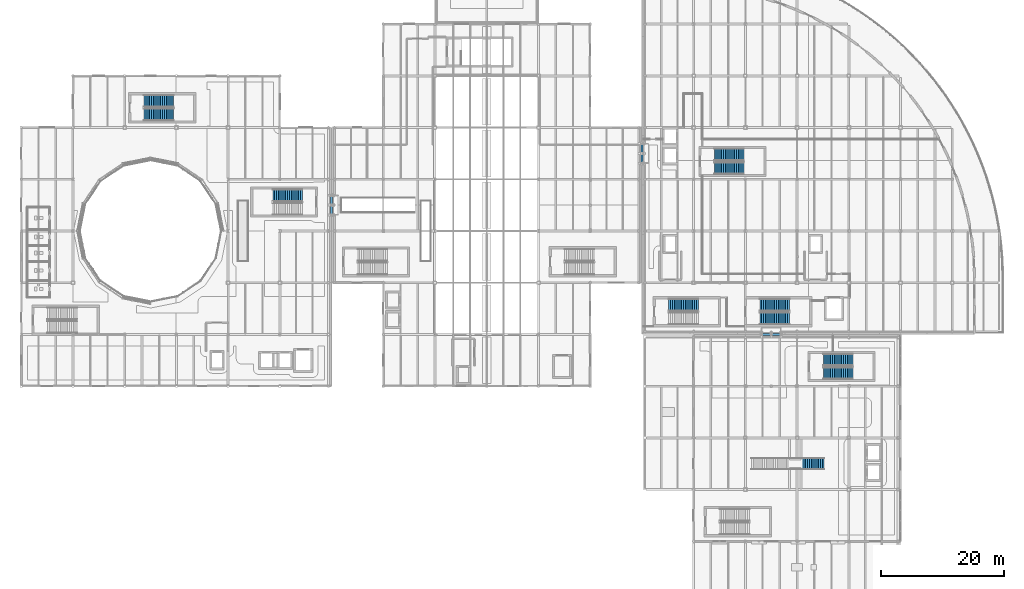
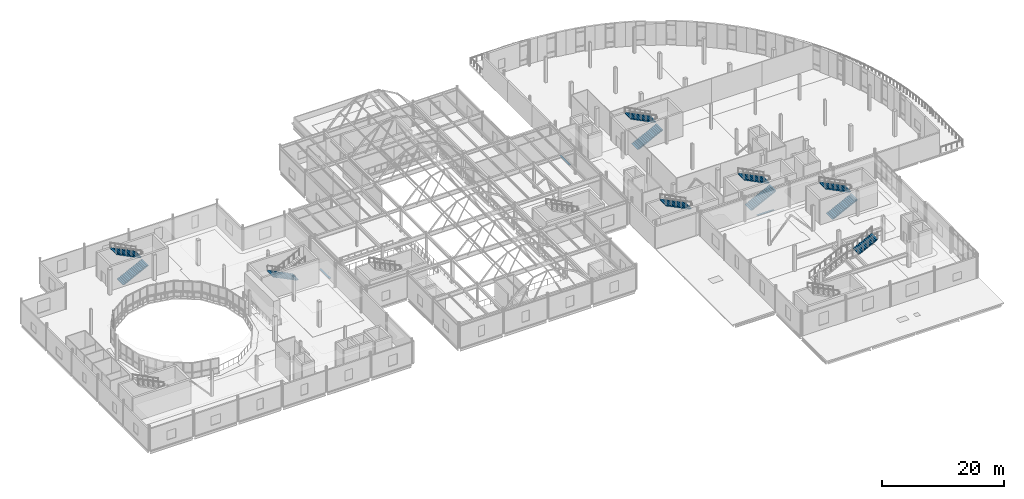
# One storey, part 71 of 103: 11 stair flights, 3 discrete accessories, 7 elements without a shape of their own.
"""IFC4 building model written with IfcOpenShell, lengths in metres."""

from ifc_helpers import new_model, si_unit, direction, frame, origin, origin_2d, place, context, subcontext, project, spatial, polyline, rectangle, outline, extrude, material, type_object, element, aggregate, save


model = new_model("IFC4")

# Units and contexts
model_context = context("Model", 3, precision=1e-05, world=origin(), true_north=direction((0.0, 1.0)))
body_context = subcontext(model_context, "Body", "Model", "MODEL_VIEW")
ifc_project = project(units=[si_unit("LENGTHUNIT", "METRE"), si_unit("AREAUNIT", "SQUARE_METRE"), si_unit("VOLUMEUNIT", "CUBIC_METRE"), si_unit("PLANEANGLEUNIT", "RADIAN"), si_unit("MASSUNIT", "GRAM", prefix="KILO"), si_unit("THERMODYNAMICTEMPERATUREUNIT", "KELVIN")], contexts=[model_context])

# Site, building, storey
site_placement = place(None, origin())
site = spatial("IfcSite", under=ifc_project, at=site_placement, CompositionType="ELEMENT")
building_placement = place(site_placement, origin())
building = spatial("IfcBuilding", under=site, at=building_placement, Name="Lustrewick Department Store", CompositionType="ELEMENT")
storey_placement = place(building_placement, frame((0.0, 0.0, 16.5)))
storey = spatial("IfcBuildingStorey", under=building, at=storey_placement, Name="L04", CompositionType="ELEMENT", Elevation=16.5)

# Stair, stair flight
ifc_material_1 = material(Name="Structural steel S355 (Q355B)", Category="steel")
stair_type_1 = type_object("IfcStairType", Name="AST04", PredefinedType="STRAIGHT_RUN_STAIR", material=ifc_material_1)
stair_1_placement = place(storey_placement, origin())
stair_1 = element("IfcStair", 1, at=stair_1_placement, inside=storey, type_object=stair_type_1, Name="L04 Architectural Feature Stair AST04", PredefinedType="STRAIGHT_RUN_STAIR")
stair_flight_type_1 = type_object("IfcStairFlightType", Name="SF-A4", PredefinedType="STRAIGHT", material=ifc_material_1)
stair_flight_1_placement = place(storey_placement, frame((135.199951171875, 29.39990234375, 3.14990234375), z_axis=(0.0, 0.0, 1.0), x_axis=(1.0, 0.0, 0.0)))
stair_flight_1 = element("IfcStairFlight", 2, at=stair_flight_1_placement, type_object=stair_flight_type_1, Name="AST04 flight 2", NumberOfRisers=13, NumberOfTreads=12, PredefinedType="STRAIGHT", RiserHeight=0.15, TreadLength=0.3, context=body_context, shape_type="SweptSolid", body=[
    extrude(outline(polyline([(0.0, 0.0), (0.0, 0.14990234375), (0.300048828125, 0.14990234375), (0.300048828125, 0.300048828125), (0.60009765625, 0.300048828125), (0.60009765625, 0.449951171875), (0.89990234375, 0.449951171875), (0.89990234375, 0.60009765625), (1.199951171875, 0.60009765625), (1.199951171875, 0.75), (1.5, 0.75), (1.5, 0.89990234375), (1.800048828125, 0.89990234375), (1.800048828125, 1.050048828125), (2.10009765625, 1.050048828125), (2.10009765625, 1.199951171875), (2.39990234375, 1.199951171875), (2.39990234375, 1.35009765625), (2.699951171875, 1.35009765625), (2.699951171875, 1.5), (3.0, 1.5), (3.0, 1.64990234375), (3.300048828125, 1.64990234375), (3.300048828125, 1.800048828125), (3.60009765625, 1.800048828125), (3.60009765625, 1.949951171875), (3.60009765625, 1.62109375), (0.357666015625, 0.0), (0.0, 0.0)])), frame((0.0, 0.949951171875, 0.0), z_axis=(0.0, -1.0, 0.0), x_axis=(1.0, 0.0, 0.0)), (0.0, 0.0, 1.0), 1.89990234375),
])
aggregate(stair_1, [stair_flight_1])

ifc_material_2 = material(Name="Concrete C30", Category="concrete")
stair_type_2 = type_object("IfcStairType", Name="ST-H51", PredefinedType="HALF_TURN_STAIR", material=ifc_material_2)
stair_2_placement = place(storey_placement, origin())
stair_2 = element("IfcStair", 3, at=stair_2_placement, inside=storey, type_object=stair_type_2, Name="L04 Smoke-Proof Exit Stair ST02", PredefinedType="HALF_TURN_STAIR")
stair_flight_type_2 = type_object("IfcStairFlightType", Name="SF-H51", PredefinedType="STRAIGHT", material=ifc_material_2)
stair_flight_2_placement = place(storey_placement, frame((54.050048828125, 73.0, 0.0), z_axis=(0.0, 0.0, 1.0), x_axis=(-1.0, 0.0, 0.0)))
stair_flight_2 = element("IfcStairFlight", 4, at=stair_flight_2_placement, type_object=stair_flight_type_2, Name="ST-H51 flight 1", NumberOfRisers=17, NumberOfTreads=16, PredefinedType="STRAIGHT", RiserHeight=0.15, TreadLength=0.3, context=body_context, shape_type="SweptSolid", body=[
    extrude(outline(polyline([(0.0, 0.0), (0.0, 0.14990234375), (0.300048828125, 0.14990234375), (0.300048828125, 0.300048828125), (0.60009765625, 0.300048828125), (0.60009765625, 0.449951171875), (0.89990234375, 0.449951171875), (0.89990234375, 0.60009765625), (1.199951171875, 0.60009765625), (1.199951171875, 0.75), (1.5, 0.75), (1.5, 0.89990234375), (1.800048828125, 0.89990234375), (1.800048828125, 1.050048828125), (2.10009765625, 1.050048828125), (2.10009765625, 1.199951171875), (2.39990234375, 1.199951171875), (2.39990234375, 1.35009765625), (2.699951171875, 1.35009765625), (2.699951171875, 1.5), (3.0, 1.5), (3.0, 1.64990234375), (3.300048828125, 1.64990234375), (3.300048828125, 1.800048828125), (3.60009765625, 1.800048828125), (3.60009765625, 1.949951171875), (3.89990234375, 1.949951171875), (3.89990234375, 2.10009765625), (4.199951171875, 2.10009765625), (4.199951171875, 2.25), (4.5, 2.25), (4.5, 2.39990234375), (4.800048828125, 2.39990234375), (4.800048828125, 2.550048828125), (4.800048828125, 2.22119140625), (0.357666015625, 0.0), (0.0, 0.0)])), frame((0.0, 1.0, 0.0), z_axis=(0.0, -1.0, 0.0), x_axis=(1.0, 0.0, 0.0)), (0.0, 0.0, 1.0), 2.0),
])
aggregate(stair_2, [stair_flight_2])

# Stair, stair flights
stair_3_placement = place(storey_placement, origin())
stair_3 = element("IfcStair", 5, at=stair_3_placement, inside=storey, type_object=stair_type_2, Name="L04 Smoke-Proof Exit Stair ST03", PredefinedType="HALF_TURN_STAIR")
stair_flight_3_placement = place(storey_placement, frame((28.35009765625, 86.10009765625, 0.0), z_axis=(0.0, 0.0, 1.0), x_axis=(1.0, 0.0, 0.0)))
stair_flight_3 = element("IfcStairFlight", 6, at=stair_flight_3_placement, type_object=stair_flight_type_2, Name="ST-H51 flight 1", NumberOfRisers=17, NumberOfTreads=16, PredefinedType="STRAIGHT", RiserHeight=0.15, TreadLength=0.3, context=body_context, shape_type="SweptSolid", body=[
    extrude(outline(polyline([(0.0, 0.0), (0.0, 0.14990234375), (0.300048828125, 0.14990234375), (0.300048828125, 0.300048828125), (0.60009765625, 0.300048828125), (0.60009765625, 0.449951171875), (0.89990234375, 0.449951171875), (0.89990234375, 0.60009765625), (1.199951171875, 0.60009765625), (1.199951171875, 0.75), (1.5, 0.75), (1.5, 0.89990234375), (1.800048828125, 0.89990234375), (1.800048828125, 1.050048828125), (2.10009765625, 1.050048828125), (2.10009765625, 1.199951171875), (2.39990234375, 1.199951171875), (2.39990234375, 1.35009765625), (2.699951171875, 1.35009765625), (2.699951171875, 1.5), (3.0, 1.5), (3.0, 1.64990234375), (3.300048828125, 1.64990234375), (3.300048828125, 1.800048828125), (3.60009765625, 1.800048828125), (3.60009765625, 1.949951171875), (3.89990234375, 1.949951171875), (3.89990234375, 2.10009765625), (4.199951171875, 2.10009765625), (4.199951171875, 2.25), (4.5, 2.25), (4.5, 2.39990234375), (4.800048828125, 2.39990234375), (4.800048828125, 2.550048828125), (4.800048828125, 2.22119140625), (0.357666015625, 0.0), (0.0, 0.0)])), frame((0.0, 1.0, 0.0), z_axis=(0.0, -1.0, 0.0), x_axis=(1.0, 0.0, 0.0)), (0.0, 0.0, 1.0), 2.0),
])
stair_flight_4_placement = place(storey_placement, frame((33.14990234375, 88.300048828125, 2.550048828125), z_axis=(0.0, 0.0, 1.0), x_axis=(-1.0, 0.0, 0.0)))
stair_flight_4 = element("IfcStairFlight", 7, at=stair_flight_4_placement, type_object=stair_flight_type_2, Name="ST-H51 flight 2", NumberOfRisers=17, NumberOfTreads=16, PredefinedType="STRAIGHT", RiserHeight=0.15, TreadLength=0.3, context=body_context, shape_type="SweptSolid", body=[
    extrude(outline(polyline([(0.0, 0.0), (0.0, 0.14990234375), (0.300048828125, 0.14990234375), (0.300048828125, 0.300048828125), (0.60009765625, 0.300048828125), (0.60009765625, 0.449951171875), (0.89990234375, 0.449951171875), (0.89990234375, 0.60009765625), (1.199951171875, 0.60009765625), (1.199951171875, 0.75), (1.5, 0.75), (1.5, 0.89990234375), (1.800048828125, 0.89990234375), (1.800048828125, 1.050048828125), (2.10009765625, 1.050048828125), (2.10009765625, 1.199951171875), (2.39990234375, 1.199951171875), (2.39990234375, 1.35009765625), (2.699951171875, 1.35009765625), (2.699951171875, 1.5), (3.0, 1.5), (3.0, 1.64990234375), (3.300048828125, 1.64990234375), (3.300048828125, 1.800048828125), (3.60009765625, 1.800048828125), (3.60009765625, 1.949951171875), (3.89990234375, 1.949951171875), (3.89990234375, 2.10009765625), (4.199951171875, 2.10009765625), (4.199951171875, 2.25), (4.5, 2.25), (4.5, 2.39990234375), (4.800048828125, 2.39990234375), (4.800048828125, 2.550048828125), (4.800048828125, 2.22119140625), (0.357666015625, 0.0), (0.0, 0.0)])), frame((0.0, 1.0, 0.0), z_axis=(0.0, -1.0, 0.0), x_axis=(1.0, 0.0, 0.0)), (0.0, 0.0, 1.0), 2.0),
])
aggregate(stair_3, [stair_flight_3, stair_flight_4])

stair_4_placement = place(storey_placement, origin())
stair_4 = element("IfcStair", 8, at=stair_4_placement, inside=storey, type_object=stair_type_2, Name="L04 Smoke-Proof Exit Stair ST08", PredefinedType="HALF_TURN_STAIR")
stair_flight_5_placement = place(storey_placement, frame((138.64990234375, 44.10009765625, 0.0), z_axis=(0.0, 0.0, 1.0), x_axis=(1.0, 0.0, 0.0)))
stair_flight_5 = element("IfcStairFlight", 9, at=stair_flight_5_placement, type_object=stair_flight_type_2, Name="ST-H51 flight 1", NumberOfRisers=17, NumberOfTreads=16, PredefinedType="STRAIGHT", RiserHeight=0.15, TreadLength=0.3, context=body_context, shape_type="SweptSolid", body=[
    extrude(outline(polyline([(0.0, 0.0), (0.0, 0.14990234375), (0.300048828125, 0.14990234375), (0.300048828125, 0.300048828125), (0.60009765625, 0.300048828125), (0.60009765625, 0.449951171875), (0.89990234375, 0.449951171875), (0.89990234375, 0.60009765625), (1.199951171875, 0.60009765625), (1.199951171875, 0.75), (1.5, 0.75), (1.5, 0.89990234375), (1.800048828125, 0.89990234375), (1.800048828125, 1.050048828125), (2.10009765625, 1.050048828125), (2.10009765625, 1.199951171875), (2.39990234375, 1.199951171875), (2.39990234375, 1.35009765625), (2.699951171875, 1.35009765625), (2.699951171875, 1.5), (3.0, 1.5), (3.0, 1.64990234375), (3.300048828125, 1.64990234375), (3.300048828125, 1.800048828125), (3.60009765625, 1.800048828125), (3.60009765625, 1.949951171875), (3.89990234375, 1.949951171875), (3.89990234375, 2.10009765625), (4.199951171875, 2.10009765625), (4.199951171875, 2.25), (4.5, 2.25), (4.5, 2.39990234375), (4.800048828125, 2.39990234375), (4.800048828125, 2.550048828125), (4.800048828125, 2.22119140625), (0.357666015625, 0.0), (0.0, 0.0)])), frame((0.0, 1.0, 0.0), z_axis=(0.0, -1.0, 0.0), x_axis=(1.0, 0.0, 0.0)), (0.0, 0.0, 1.0), 2.0),
])
stair_flight_6_placement = place(storey_placement, frame((143.449951171875, 46.300048828125, 2.550048828125), z_axis=(0.0, 0.0, 1.0), x_axis=(-1.0, 0.0, 0.0)))
stair_flight_6 = element("IfcStairFlight", 10, at=stair_flight_6_placement, type_object=stair_flight_type_2, Name="ST-H51 flight 2", NumberOfRisers=17, NumberOfTreads=16, PredefinedType="STRAIGHT", RiserHeight=0.15, TreadLength=0.3, context=body_context, shape_type="SweptSolid", body=[
    extrude(outline(polyline([(0.0, 0.0), (0.0, 0.14990234375), (0.300048828125, 0.14990234375), (0.300048828125, 0.300048828125), (0.60009765625, 0.300048828125), (0.60009765625, 0.449951171875), (0.89990234375, 0.449951171875), (0.89990234375, 0.60009765625), (1.199951171875, 0.60009765625), (1.199951171875, 0.75), (1.5, 0.75), (1.5, 0.89990234375), (1.800048828125, 0.89990234375), (1.800048828125, 1.050048828125), (2.10009765625, 1.050048828125), (2.10009765625, 1.199951171875), (2.39990234375, 1.199951171875), (2.39990234375, 1.35009765625), (2.699951171875, 1.35009765625), (2.699951171875, 1.5), (3.0, 1.5), (3.0, 1.64990234375), (3.300048828125, 1.64990234375), (3.300048828125, 1.800048828125), (3.60009765625, 1.800048828125), (3.60009765625, 1.949951171875), (3.89990234375, 1.949951171875), (3.89990234375, 2.10009765625), (4.199951171875, 2.10009765625), (4.199951171875, 2.25), (4.5, 2.25), (4.5, 2.39990234375), (4.800048828125, 2.39990234375), (4.800048828125, 2.550048828125), (4.800048828125, 2.22119140625), (0.357666015625, 0.0), (0.0, 0.0)])), frame((0.0, 1.0, 0.0), z_axis=(0.0, -1.0, 0.0), x_axis=(1.0, 0.0, 0.0)), (0.0, 0.0, 1.0), 2.0),
])
aggregate(stair_4, [stair_flight_5, stair_flight_6])

# Stair, stair flight
stair_5_placement = place(storey_placement, origin())
stair_5 = element("IfcStair", 11, at=stair_5_placement, inside=storey, type_object=stair_type_2, Name="L04 Smoke-Proof Exit Stair ST09", PredefinedType="HALF_TURN_STAIR")
stair_flight_7_placement = place(storey_placement, frame((118.35009765625, 55.199951171875, 2.550048828125), z_axis=(0.0, 0.0, 1.0), x_axis=(-1.0, 0.0, 0.0)))
stair_flight_7 = element("IfcStairFlight", 12, at=stair_flight_7_placement, type_object=stair_flight_type_2, Name="ST-H51 flight 2", NumberOfRisers=17, NumberOfTreads=16, PredefinedType="STRAIGHT", RiserHeight=0.15, TreadLength=0.3, context=body_context, shape_type="SweptSolid", body=[
    extrude(outline(polyline([(0.0, 0.0), (0.0, 0.14990234375), (0.300048828125, 0.14990234375), (0.300048828125, 0.300048828125), (0.60009765625, 0.300048828125), (0.60009765625, 0.449951171875), (0.89990234375, 0.449951171875), (0.89990234375, 0.60009765625), (1.199951171875, 0.60009765625), (1.199951171875, 0.75), (1.5, 0.75), (1.5, 0.89990234375), (1.800048828125, 0.89990234375), (1.800048828125, 1.050048828125), (2.10009765625, 1.050048828125), (2.10009765625, 1.199951171875), (2.39990234375, 1.199951171875), (2.39990234375, 1.35009765625), (2.699951171875, 1.35009765625), (2.699951171875, 1.5), (3.0, 1.5), (3.0, 1.64990234375), (3.300048828125, 1.64990234375), (3.300048828125, 1.800048828125), (3.60009765625, 1.800048828125), (3.60009765625, 1.949951171875), (3.89990234375, 1.949951171875), (3.89990234375, 2.10009765625), (4.199951171875, 2.10009765625), (4.199951171875, 2.25), (4.5, 2.25), (4.5, 2.39990234375), (4.800048828125, 2.39990234375), (4.800048828125, 2.550048828125), (4.800048828125, 2.22119140625), (0.357666015625, 0.0), (0.0, 0.0)])), frame((0.0, 1.0, 0.0), z_axis=(0.0, -1.0, 0.0), x_axis=(1.0, 0.0, 0.0)), (0.0, 0.0, 1.0), 2.0),
])
aggregate(stair_5, [stair_flight_7])

# Stair, stair flights
stair_6_placement = place(storey_placement, origin())
stair_6 = element("IfcStair", 13, at=stair_6_placement, inside=storey, type_object=stair_type_2, Name="L04 Smoke-Proof Exit Stair ST10", PredefinedType="HALF_TURN_STAIR")
stair_flight_8_placement = place(storey_placement, frame((120.949951171875, 77.39990234375, 0.0), z_axis=(0.0, 0.0, 1.0), x_axis=(1.0, 0.0, 0.0)))
stair_flight_8 = element("IfcStairFlight", 14, at=stair_flight_8_placement, type_object=stair_flight_type_2, Name="ST-H51 flight 1", NumberOfRisers=17, NumberOfTreads=16, PredefinedType="STRAIGHT", RiserHeight=0.15, TreadLength=0.3, context=body_context, shape_type="SweptSolid", body=[
    extrude(outline(polyline([(0.0, 0.0), (0.0, 0.14990234375), (0.300048828125, 0.14990234375), (0.300048828125, 0.300048828125), (0.60009765625, 0.300048828125), (0.60009765625, 0.449951171875), (0.89990234375, 0.449951171875), (0.89990234375, 0.60009765625), (1.199951171875, 0.60009765625), (1.199951171875, 0.75), (1.5, 0.75), (1.5, 0.89990234375), (1.800048828125, 0.89990234375), (1.800048828125, 1.050048828125), (2.10009765625, 1.050048828125), (2.10009765625, 1.199951171875), (2.39990234375, 1.199951171875), (2.39990234375, 1.35009765625), (2.699951171875, 1.35009765625), (2.699951171875, 1.5), (3.0, 1.5), (3.0, 1.64990234375), (3.300048828125, 1.64990234375), (3.300048828125, 1.800048828125), (3.60009765625, 1.800048828125), (3.60009765625, 1.949951171875), (3.89990234375, 1.949951171875), (3.89990234375, 2.10009765625), (4.199951171875, 2.10009765625), (4.199951171875, 2.25), (4.5, 2.25), (4.5, 2.39990234375), (4.800048828125, 2.39990234375), (4.800048828125, 2.550048828125), (4.800048828125, 2.22119140625), (0.357666015625, 0.0), (0.0, 0.0)])), frame((0.0, 1.0, 0.0), z_axis=(0.0, -1.0, 0.0), x_axis=(1.0, 0.0, 0.0)), (0.0, 0.0, 1.0), 2.0),
])
stair_flight_9_placement = place(storey_placement, frame((125.75, 79.60009765625, 2.550048828125), z_axis=(0.0, 0.0, 1.0), x_axis=(-1.0, 0.0, 0.0)))
stair_flight_9 = element("IfcStairFlight", 15, at=stair_flight_9_placement, type_object=stair_flight_type_2, Name="ST-H51 flight 2", NumberOfRisers=17, NumberOfTreads=16, PredefinedType="STRAIGHT", RiserHeight=0.15, TreadLength=0.3, context=body_context, shape_type="SweptSolid", body=[
    extrude(outline(polyline([(0.0, 0.0), (0.0, 0.14990234375), (0.300048828125, 0.14990234375), (0.300048828125, 0.300048828125), (0.60009765625, 0.300048828125), (0.60009765625, 0.449951171875), (0.89990234375, 0.449951171875), (0.89990234375, 0.60009765625), (1.199951171875, 0.60009765625), (1.199951171875, 0.75), (1.5, 0.75), (1.5, 0.89990234375), (1.800048828125, 0.89990234375), (1.800048828125, 1.050048828125), (2.10009765625, 1.050048828125), (2.10009765625, 1.199951171875), (2.39990234375, 1.199951171875), (2.39990234375, 1.35009765625), (2.699951171875, 1.35009765625), (2.699951171875, 1.5), (3.0, 1.5), (3.0, 1.64990234375), (3.300048828125, 1.64990234375), (3.300048828125, 1.800048828125), (3.60009765625, 1.800048828125), (3.60009765625, 1.949951171875), (3.89990234375, 1.949951171875), (3.89990234375, 2.10009765625), (4.199951171875, 2.10009765625), (4.199951171875, 2.25), (4.5, 2.25), (4.5, 2.39990234375), (4.800048828125, 2.39990234375), (4.800048828125, 2.550048828125), (4.800048828125, 2.22119140625), (0.357666015625, 0.0), (0.0, 0.0)])), frame((0.0, 1.0, 0.0), z_axis=(0.0, -1.0, 0.0), x_axis=(1.0, 0.0, 0.0)), (0.0, 0.0, 1.0), 2.0),
])
aggregate(stair_6, [stair_flight_8, stair_flight_9])

stair_7_placement = place(storey_placement, origin())
stair_7 = element("IfcStair", 16, at=stair_7_placement, inside=storey, type_object=stair_type_2, Name="L04 Smoke-Proof Exit Stair ST11", PredefinedType="HALF_TURN_STAIR")
stair_flight_10_placement = place(storey_placement, frame((128.35009765625, 53.0, 0.0), z_axis=(0.0, 0.0, 1.0), x_axis=(1.0, 0.0, 0.0)))
stair_flight_10 = element("IfcStairFlight", 17, at=stair_flight_10_placement, type_object=stair_flight_type_2, Name="ST-H51 flight 1", NumberOfRisers=17, NumberOfTreads=16, PredefinedType="STRAIGHT", RiserHeight=0.15, TreadLength=0.3, context=body_context, shape_type="SweptSolid", body=[
    extrude(outline(polyline([(0.0, 0.0), (0.0, 0.14990234375), (0.300048828125, 0.14990234375), (0.300048828125, 0.300048828125), (0.60009765625, 0.300048828125), (0.60009765625, 0.449951171875), (0.89990234375, 0.449951171875), (0.89990234375, 0.60009765625), (1.199951171875, 0.60009765625), (1.199951171875, 0.75), (1.5, 0.75), (1.5, 0.89990234375), (1.800048828125, 0.89990234375), (1.800048828125, 1.050048828125), (2.10009765625, 1.050048828125), (2.10009765625, 1.199951171875), (2.39990234375, 1.199951171875), (2.39990234375, 1.35009765625), (2.699951171875, 1.35009765625), (2.699951171875, 1.5), (3.0, 1.5), (3.0, 1.64990234375), (3.300048828125, 1.64990234375), (3.300048828125, 1.800048828125), (3.60009765625, 1.800048828125), (3.60009765625, 1.949951171875), (3.89990234375, 1.949951171875), (3.89990234375, 2.10009765625), (4.199951171875, 2.10009765625), (4.199951171875, 2.25), (4.5, 2.25), (4.5, 2.39990234375), (4.800048828125, 2.39990234375), (4.800048828125, 2.550048828125), (4.800048828125, 2.22119140625), (0.357666015625, 0.0), (0.0, 0.0)])), frame((0.0, 1.0, 0.0), z_axis=(0.0, -1.0, 0.0), x_axis=(1.0, 0.0, 0.0)), (0.0, 0.0, 1.0), 2.0),
])
stair_flight_11_placement = place(storey_placement, frame((133.14990234375, 55.199951171875, 2.550048828125), z_axis=(0.0, 0.0, 1.0), x_axis=(-1.0, 0.0, 0.0)))
stair_flight_11 = element("IfcStairFlight", 18, at=stair_flight_11_placement, type_object=stair_flight_type_2, Name="ST-H51 flight 2", NumberOfRisers=17, NumberOfTreads=16, PredefinedType="STRAIGHT", RiserHeight=0.15, TreadLength=0.3, context=body_context, shape_type="SweptSolid", body=[
    extrude(outline(polyline([(0.0, 0.0), (0.0, 0.14990234375), (0.300048828125, 0.14990234375), (0.300048828125, 0.300048828125), (0.60009765625, 0.300048828125), (0.60009765625, 0.449951171875), (0.89990234375, 0.449951171875), (0.89990234375, 0.60009765625), (1.199951171875, 0.60009765625), (1.199951171875, 0.75), (1.5, 0.75), (1.5, 0.89990234375), (1.800048828125, 0.89990234375), (1.800048828125, 1.050048828125), (2.10009765625, 1.050048828125), (2.10009765625, 1.199951171875), (2.39990234375, 1.199951171875), (2.39990234375, 1.35009765625), (2.699951171875, 1.35009765625), (2.699951171875, 1.5), (3.0, 1.5), (3.0, 1.64990234375), (3.300048828125, 1.64990234375), (3.300048828125, 1.800048828125), (3.60009765625, 1.800048828125), (3.60009765625, 1.949951171875), (3.89990234375, 1.949951171875), (3.89990234375, 2.10009765625), (4.199951171875, 2.10009765625), (4.199951171875, 2.25), (4.5, 2.25), (4.5, 2.39990234375), (4.800048828125, 2.39990234375), (4.800048828125, 2.550048828125), (4.800048828125, 2.22119140625), (0.357666015625, 0.0), (0.0, 0.0)])), frame((0.0, 1.0, 0.0), z_axis=(0.0, -1.0, 0.0), x_axis=(1.0, 0.0, 0.0)), (0.0, 0.0, 1.0), 2.0),
])
aggregate(stair_7, [stair_flight_10, stair_flight_11])

# Discrete accessories
ifc_material_3 = material(Name="Structural steel Q355C", Category="steel")
discrete_accessory_type = type_object("IfcDiscreteAccessoryType", Name="SJC-01", PredefinedType="USERDEFINED", material=ifc_material_3)
for number, where, z_axis, x_axis, name in (
    (19, (58.800048828125, 71.39990234375, -0.02392578125), (0.0, 0.0, 1.0), (1.0, 0.0, 0.0), "L04 Skybridge SB12 Flush Seismic Joint Cover Plate"),
    (20, (109.199951171875, 79.800048828125, -0.02392578125), (0.0, 0.0, 1.0), (1.0, 0.0, 0.0), "L04 Skybridge SB24 Flush Seismic Joint Cover Plate"),
):
    element("IfcDiscreteAccessory", number, at=place(storey_placement, frame(where, z_axis=z_axis, x_axis=x_axis)), inside=storey, type_object=discrete_accessory_type, Name=name, ObjectType="SEISMIC_JOINT_COVER", PredefinedType="USERDEFINED", context=body_context, shape_type="SweptSolid", body=[
        extrude(rectangle(XDim=0.360107421875, YDim=3.199951171875, at=origin_2d()), origin(), (0.0, 0.0, 1.0), 0.02392578125),
    ])
discrete_accessory_placement = place(storey_placement, frame((130.199951171875, 50.39990234375, -0.02392578125), z_axis=(0.0, 0.0, 1.0), x_axis=(1.0, 0.0, 0.0)))
element("IfcDiscreteAccessory", 21, at=discrete_accessory_placement, inside=storey, type_object=discrete_accessory_type, Name="L04 Skybridge SB34 Flush Seismic Joint Cover Plate", ObjectType="SEISMIC_JOINT_COVER", PredefinedType="USERDEFINED", context=body_context, shape_type="SweptSolid", body=[
    extrude(rectangle(XDim=3.199951171875, YDim=0.360107421875, at=origin_2d()), origin(), (0.0, 0.0, 1.0), 0.02392578125),
])

save(model, "model.ifc")
